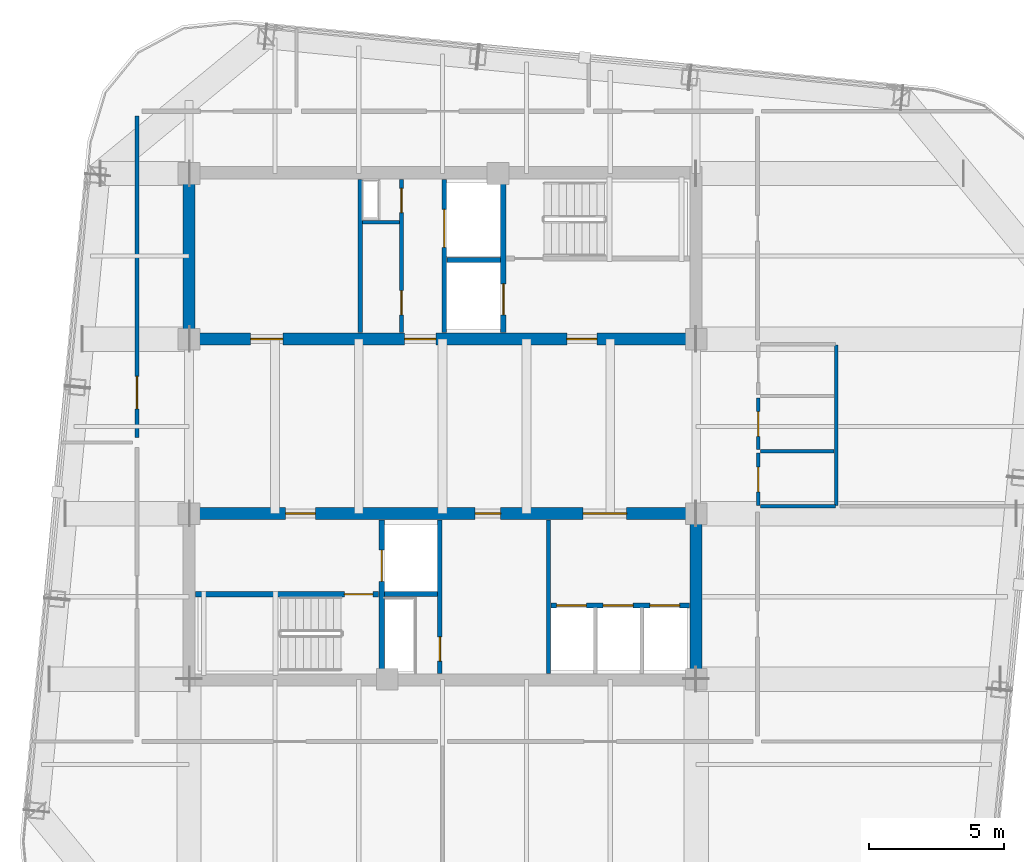
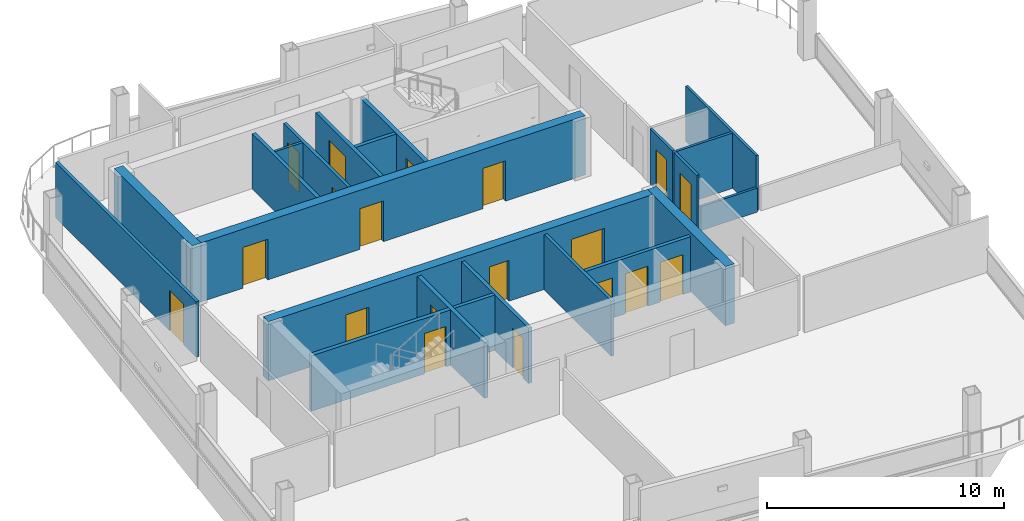
# One storey, part 16 of 21: 22 walls, 19 doors, 19 openings.
"""IFC4 building model written with IfcOpenShell, lengths in metres."""

import ifcopenshell
import ifcopenshell.guid

model = None  # the IFC model being written
_history = None  # IfcOwnerHistory: only IFC2X3 demands one
_inside = {}  # id of a spatial element -> (the spatial element, [elements in it])
_under = {}  # id of a project, library or spatial element -> (it, [spatial elements below it])
_declared = {}  # id of a project -> (the project, [libraries it declares])
_typed = {}  # id of a type object -> (the type object, [elements of that type])
_made_of = {}  # id of a material, layer set ... -> (it, [elements and type objects made of it])


def new_model(schema):
    """Start an empty IFC model of exactly this schema.

    Asked for "IFC4X3", IfcOpenShell would pick the latest addendum, in which some entities
    have other attributes; the version numbers below select the first issue.
    IFC2X3 requires an IfcOwnerHistory on every rooted entity: one is made here for all.
    """
    global model, _history
    if schema == "IFC4X3":
        model = ifcopenshell.file(schema_version=(4, 3, 0, 0))
    else:
        model = ifcopenshell.file(schema=schema)
    _inside.clear()
    _under.clear()
    _declared.clear()
    _typed.clear()
    _made_of.clear()
    _history = None
    if model.schema == "IFC2X3":
        org = make("IfcOrganization", Name="unknown")
        user = make(
            "IfcPersonAndOrganization",
            ThePerson=make("IfcPerson", FamilyName="unknown"),
            TheOrganization=org,
        )
        app = make(
            "IfcApplication",
            ApplicationDeveloper=org,
            Version="unknown",
            ApplicationFullName="unknown",
            ApplicationIdentifier="unknown",
        )
        _history = make(
            "IfcOwnerHistory",
            OwningUser=user,
            OwningApplication=app,
            ChangeAction="ADDED",
            CreationDate=0,
        )
    return model


def make(cls, **values):
    """One entity of the class cls with the attributes given. An attribute that is None is left unset."""
    return model.create_entity(
        cls, **{name: value for name, value in values.items() if value is not None}
    )


def rooted(cls, **values):
    """An entity with a GlobalId (a new one), such as an element, a storey or a relation."""
    return make(cls, GlobalId=ifcopenshell.guid.new(), OwnerHistory=_history, **values)


def si_unit(unit_type, name, prefix=None):
    """IfcSIUnit, for example si_unit("LENGTHUNIT", "METRE", prefix="MILLI")."""
    return make("IfcSIUnit", UnitType=unit_type, Prefix=prefix, Name=name)


def assignment(units):
    """IfcUnitAssignment: the units of a project."""
    return None if units is None else make("IfcUnitAssignment", Units=units)


def point(xyz):
    """IfcCartesianPoint."""
    return None if xyz is None else make("IfcCartesianPoint", Coordinates=xyz)


def direction(xyz):
    """IfcDirection."""
    return None if xyz is None else make("IfcDirection", DirectionRatios=xyz)


def frame(location, z_axis=None, x_axis=None):
    """IfcAxis2Placement3D, a coordinate frame: its origin and axes. An axis left out is left unset."""
    return make(
        "IfcAxis2Placement3D",
        Location=point(location),
        Axis=direction(z_axis),
        RefDirection=direction(x_axis),
    )


def frame_2d(location, x_axis=None):
    """IfcAxis2Placement2D, a coordinate frame in the plane: its origin and x axis."""
    return make(
        "IfcAxis2Placement2D", Location=point(location), RefDirection=direction(x_axis)
    )


def origin():
    """The frame at (0, 0, 0) with its axes left unset."""
    return frame((0.0, 0.0, 0.0))


def place(relative_to, where):
    """IfcLocalPlacement: puts the frame where relative to a parent placement (None: the world)."""
    return make(
        "IfcLocalPlacement", PlacementRelTo=relative_to, RelativePlacement=where
    )


def context(
    kind, dimensions, precision=None, world=None, true_north=None, identifier=None
):
    """IfcGeometricRepresentationContext, for example the 3D "Model" context."""
    return make(
        "IfcGeometricRepresentationContext",
        ContextIdentifier=identifier,
        ContextType=kind,
        CoordinateSpaceDimension=dimensions,
        Precision=precision,
        WorldCoordinateSystem=world,
        TrueNorth=true_north,
    )


def subcontext(parent, identifier, kind, view, scale=None):
    """IfcGeometricRepresentationSubContext, for example "Body" below "Model"."""
    return make(
        "IfcGeometricRepresentationSubContext",
        ContextIdentifier=identifier,
        ContextType=kind,
        ParentContext=parent,
        TargetScale=scale,
        TargetView=view,
    )


def project(units=None, contexts=None):
    """IfcProject with its units and contexts."""
    return rooted(
        "IfcProject",
        Name="project",
        RepresentationContexts=contexts,
        UnitsInContext=assignment(units),
    )


def spatial(cls, under=None, at=None, **own):
    """A site, building, storey or space (cls), placed at a placement, below another one or the project."""
    s = rooted(cls, ObjectPlacement=at, **own)
    if under is not None:
        _under.setdefault(under.id(), (under, []))[1].append(s)
    return s


def profile(cls, at=None, kind="AREA", **sizes):
    """A parametric profile (cls). Its sizes go by their IFC names, for example OverallWidth=200.0."""
    return make(cls, ProfileType=kind, Position=at, **sizes)


def rectangle(**sizes):
    """IfcRectangleProfileDef."""
    return profile("IfcRectangleProfileDef", **sizes)


def extrude(swept, where, along, depth):
    """IfcExtrudedAreaSolid: the profile swept, set in the frame where, extruded along a direction by depth."""
    return make(
        "IfcExtrudedAreaSolid",
        SweptArea=swept,
        Position=where,
        ExtrudedDirection=direction(along),
        Depth=depth,
    )


def shape(context_of_items, identifier, shape_type, items):
    """IfcShapeRepresentation: the items that make up one representation, for example the "Body"."""
    return make(
        "IfcShapeRepresentation",
        ContextOfItems=context_of_items,
        RepresentationIdentifier=identifier,
        RepresentationType=shape_type,
        Items=items,
    )


def material(Name=None, Category=None):
    """IfcMaterial."""
    return make("IfcMaterial", Name=Name, Category=Category)


def layer(
    of_material, thickness, ventilated=None, Name=None, Category=None, Priority=None
):
    """IfcMaterialLayer: one layer of a wall or slab, of a material (None: an air gap)."""
    return make(
        "IfcMaterialLayer",
        Material=of_material,
        LayerThickness=thickness,
        IsVentilated=ventilated,
        Name=Name,
        Category=Category,
        Priority=Priority,
    )


def layer_set(layers, Name=None):
    """IfcMaterialLayerSet."""
    return make("IfcMaterialLayerSet", MaterialLayers=layers, LayerSetName=Name)


def made_of(thing, what):
    """Note that an element or type object is made of a material, layer set ...; save() writes the relation."""
    if what is not None:
        _made_of.setdefault(what.id(), (what, []))[1].append(thing)
    return thing


def type_object(cls, material=None, **own):
    """A type object (cls), such as IfcWallType, which elements share."""
    return made_of(rooted(cls, **own), material)


def element(
    cls,
    number,
    at=None,
    inside=None,
    cuts=None,
    type_object=None,
    material=None,
    context=None,
    identifier="Body",
    shape_type=None,
    held_by="IfcProductDefinitionShape",
    body=None,
    shapes=None,
    **own,
):
    """One element of the class cls, such as IfcWall. Its Tag is "e" and its number.

    at: its placement. inside: the storey or other place that contains it. cuts: it is an
    opening in that element (IfcRelVoidsElement). A single representation is given by context,
    identifier, shape_type and body (its items); several are given by shapes. held_by: the class
    of the entity that holds the representations. save() writes the other relations.
    """
    e = rooted(cls, Tag="e%d" % number, ObjectPlacement=at, **own)
    if body is not None:
        shapes = [shape(context, identifier, shape_type, body)]
    if shapes is not None:
        e.Representation = make(held_by, Representations=shapes)
    if inside is not None:
        _inside.setdefault(inside.id(), (inside, []))[1].append(e)
    if cuts is not None:
        rooted(
            "IfcRelVoidsElement", RelatingBuildingElement=cuts, RelatedOpeningElement=e
        )
    if type_object is not None:
        _typed.setdefault(type_object.id(), (type_object, []))[1].append(e)
    return made_of(e, material)


def fill(opening, filler):
    """IfcRelFillsElement: the door or window that sits in an opening."""
    return rooted(
        "IfcRelFillsElement",
        RelatingOpeningElement=opening,
        RelatedBuildingElement=filler,
    )


def aggregate(whole, parts):
    """IfcRelAggregates: a whole, such as a stair, and the parts it consists of."""
    return rooted("IfcRelAggregates", RelatingObject=whole, RelatedObjects=parts)


def save(model, path):
    """Write the relations noted so far, then the file.

    IfcRelAggregates (storeys below a building ...), IfcRelContainedInSpatialStructure (elements
    in a storey), IfcRelDefinesByType, IfcRelAssociatesMaterial and IfcRelDeclares: one each for
    every whole, place, type object, material and project.
    """
    for whole, parts in _under.values():
        aggregate(whole, parts)
    for where, things in _inside.values():
        rooted(
            "IfcRelContainedInSpatialStructure",
            RelatedElements=things,
            RelatingStructure=where,
        )
    for kind, things in _typed.values():
        rooted("IfcRelDefinesByType", RelatedObjects=things, RelatingType=kind)
    for what, things in _made_of.values():
        rooted("IfcRelAssociatesMaterial", RelatedObjects=things, RelatingMaterial=what)
    for by, libraries in _declared.values():
        rooted("IfcRelDeclares", RelatingContext=by, RelatedDefinitions=libraries)
    model.write(path)


model = new_model("IFC4")

# Units and contexts
model_context = context("Model", 3, precision=1e-05, world=origin(), true_north=direction((0.0, 1.0)))
body_context = subcontext(model_context, "Body", "Model", "MODEL_VIEW")
ifc_project = project(units=[si_unit("LENGTHUNIT", "METRE"), si_unit("AREAUNIT", "SQUARE_METRE"), si_unit("VOLUMEUNIT", "CUBIC_METRE"), si_unit("PLANEANGLEUNIT", "RADIAN"), si_unit("MASSUNIT", "GRAM", prefix="KILO")], contexts=[model_context])

# Site, building, storey
site_placement = place(None, origin())
site = spatial("IfcSite", under=ifc_project, at=site_placement, CompositionType="ELEMENT")
building_placement = place(site_placement, origin())
building = spatial("IfcBuilding", under=site, at=building_placement, Name="Qhalaya Broadcast Tower", CompositionType="ELEMENT")
storey_placement = place(building_placement, frame((0.0, 0.0, 270.300048828125)))
storey = spatial("IfcBuildingStorey", under=building, at=storey_placement, Name="L80", CompositionType="ELEMENT", Elevation=270.300048828125)

# Wall, openings, doors
ifc_material_1 = material(Name="Gypsum Acoustic Partition")
ifc_layer_1 = layer(ifc_material_1, 0.14990234375, Name="Gypsum Acoustic Partition")
ifc_layer_set_1 = layer_set([ifc_layer_1], Name="Gypsum Acoustic Partition")
wall_type_1 = type_object("IfcWallType", Name="Corridor & Tenancy Acoustic Partition 150", PredefinedType="PARTITIONING", material=ifc_layer_set_1)
wall_1_placement = place(storey_placement, frame((-1.52001953125, 4.070068359375, 0.0), z_axis=(0.0, 0.0, 1.0), x_axis=(0.0, 1.0, 0.0)))
wall_1 = element("IfcWall", 1, at=wall_1_placement, inside=storey, type_object=wall_type_1, Name="L80 Partition Wall NCW-SVL", PredefinedType="PARTITIONING", context=body_context, shape_type="SweptSolid", body=[
    extrude(rectangle(XDim=5.659912109375, YDim=0.14990234375, at=frame_2d((2.830078125, 0.0))), origin(), (0.0, 0.0, 1.0), 2.85986328125),
])
opening_1_placement = place(wall_1_placement, frame((4.429931640625, 0.0, 0.0)))
opening_1 = element("IfcOpeningElement", 2, at=opening_1_placement, cuts=wall_1, Name="Opening D06", PredefinedType="OPENING", context=body_context, shape_type="SweptSolid", body=[
    extrude(rectangle(XDim=0.89990234375, YDim=2.050048828125, at=frame_2d((0.449951171875, 1.02490234375))), frame((0.0, 0.0869140625, 0.0), z_axis=(0.0, -1.0, 0.0), x_axis=(1.0, 0.0, 0.0)), (0.0, 0.0, 1.0), 0.173828125),
])
opening_2_placement = place(wall_1_placement, frame((0.64990234375, 0.0, 0.0)))
opening_2 = element("IfcOpeningElement", 3, at=opening_2_placement, cuts=wall_1, Name="Opening D06", PredefinedType="OPENING", context=body_context, shape_type="SweptSolid", body=[
    extrude(rectangle(XDim=0.89990234375, YDim=2.050048828125, at=frame_2d((0.449951171875, 1.02490234375))), frame((0.0, 0.0869140625, 0.0), z_axis=(0.0, -1.0, 0.0), x_axis=(1.0, 0.0, 0.0)), (0.0, 0.0, 1.0), 0.173828125),
])
ifc_material_2 = material(Name="Fire-Rated Steel Door", Category="steel")
door_type_1 = type_object("IfcDoorType", Name="Riser & Electrical Shaft Access Door D06", OperationType="NOTDEFINED", PredefinedType="DOOR", material=ifc_material_2)
door_1_placement = place(opening_1_placement, origin())
door_1 = element("IfcDoor", 4, at=door_1_placement, inside=storey, type_object=door_type_1, Name="L80 Riser Shaft Access Door D-NRSR", OperationType="SINGLE_SWING_RIGHT", OverallHeight=2.050048828125, OverallWidth=0.89990234375, PredefinedType="DOOR", context=body_context, shape_type="SweptSolid", body=[
    extrude(rectangle(XDim=0.89990234375, YDim=2.050048828125, at=frame_2d((0.449951171875, 1.02490234375))), frame((0.0, 0.02490234375, 0.0), z_axis=(0.0, -1.0, 0.0), x_axis=(1.0, 0.0, 0.0)), (0.0, 0.0, 1.0), 0.050048828125),
])
fill(opening_1, door_1)
door_2_placement = place(opening_2_placement, origin())
door_2 = element("IfcDoor", 5, at=door_2_placement, inside=storey, type_object=door_type_1, Name="L80 Door D-NCST", OperationType="SINGLE_SWING_LEFT", OverallHeight=2.050048828125, OverallWidth=0.89990234375, PredefinedType="DOOR", context=body_context, shape_type="SweptSolid", body=[
    extrude(rectangle(XDim=0.89990234375, YDim=2.050048828125, at=frame_2d((0.449951171875, 1.02490234375))), frame((0.0, 0.02490234375, 0.0), z_axis=(0.0, -1.0, 0.0), x_axis=(1.0, 0.0, 0.0)), (0.0, 0.0, 1.0), 0.050048828125),
])
fill(opening_2, door_2)

# Wall
wall_2_placement = place(storey_placement, frame((3.919921875, -8.530029296875, 0.0), z_axis=(0.0, 0.0, 1.0), x_axis=(0.0, 1.0, 0.0)))
element("IfcWall", 6, at=wall_2_placement, inside=storey, type_object=wall_type_1, Name="L80 Partition Wall SCW-HSEP", PredefinedType="PARTITIONING", context=body_context, shape_type="SweptSolid", body=[
    extrude(rectangle(XDim=5.659912109375, YDim=0.14990234375, at=frame_2d((2.830078125, 0.0))), origin(), (0.0, 0.0, 1.0), 2.85986328125),
])

# Wall, opening, door
wall_3_placement = place(storey_placement, frame((-11.300048828125, 12.070068359375, 0.0), z_axis=(0.0, 0.0, 1.0), x_axis=(0.0, -1.0, 0.0)))
wall_3 = element("IfcWall", 7, at=wall_3_placement, inside=storey, type_object=wall_type_1, Name="L80 Partition Wall W-COR-07", PredefinedType="PARTITIONING", context=body_context, shape_type="SweptSolid", body=[
    extrude(rectangle(XDim=11.89013671875, YDim=0.14990234375, at=frame_2d((5.945068359375, 0.0))), origin(), (0.0, 0.0, 1.0), 2.85986328125),
])
opening_3_placement = place(wall_3_placement, frame((9.625, 0.0, 0.0)))
opening_3 = element("IfcOpeningElement", 8, at=opening_3_placement, cuts=wall_3, Name="Opening D11", PredefinedType="OPENING", context=body_context, shape_type="SweptSolid", body=[
    extrude(rectangle(XDim=1.199951171875, YDim=2.10009765625, at=frame_2d((0.60009765625, 1.050048828125))), frame((0.0, 0.0869140625, 0.0), z_axis=(0.0, -1.0, 0.0), x_axis=(1.0, 0.0, 0.0)), (0.0, 0.0, 1.0), 0.173828125),
])
ifc_material_3 = material(Name="Anodised Aluminium Glazed Door", Category="aluminium")
door_type_2 = type_object("IfcDoorType", Name="Conference, Boardroom & Studio Control Door D11", OperationType="NOTDEFINED", PredefinedType="DOOR", material=ifc_material_3)
door_3_placement = place(opening_3_placement, origin())
door_3 = element("IfcDoor", 9, at=door_3_placement, inside=storey, type_object=door_type_2, Name="L80 Door D-RM07", OperationType="SINGLE_SWING_RIGHT", OverallHeight=2.10009765625, OverallWidth=1.199951171875, PredefinedType="DOOR", context=body_context, shape_type="SweptSolid", body=[
    extrude(rectangle(XDim=1.199951171875, YDim=2.10009765625, at=frame_2d((0.60009765625, 1.050048828125))), frame((0.0, 0.02490234375, 0.0), z_axis=(0.0, -1.0, 0.0), x_axis=(1.0, 0.0, 0.0)), (0.0, 0.0, 1.0), 0.050048828125),
])
fill(opening_3, door_3)

ifc_material_4 = material(Name="Concrete C50/60", Category="concrete")
ifc_layer_2 = layer(ifc_material_4, 0.199951171875, Name="Concrete C50/60")
ifc_layer_set_2 = layer_set([ifc_layer_2], Name="Concrete C50/60")
wall_type_2 = type_object("IfcWallType", Name="Load-Bearing Stair Shaft Wall 200", PredefinedType="SHEAR", material=ifc_layer_set_2)
wall_4_placement = place(storey_placement, frame((2.25, 4.070068359375, 0.0), z_axis=(0.0, 0.0, 1.0), x_axis=(0.0, 1.0, 0.0)))
wall_4 = element("IfcWall", 10, at=wall_4_placement, inside=storey, type_object=wall_type_2, Name="L80 Stair Core Shear Wall NCW-FF", PredefinedType="SHEAR", context=body_context, shape_type="SweptSolid", body=[
    extrude(rectangle(XDim=5.659912109375, YDim=0.199951171875, at=frame_2d((2.830078125, 0.0))), origin(), (0.0, 0.0, 1.0), 2.85986328125),
])
opening_4_placement = place(wall_4_placement, frame((0.64990234375, 0.0, 0.0)))
opening_4 = element("IfcOpeningElement", 11, at=opening_4_placement, cuts=wall_4, Name="Opening LD2", PredefinedType="OPENING", context=body_context, shape_type="SweptSolid", body=[
    extrude(rectangle(XDim=1.14990234375, YDim=2.080078125, at=frame_2d((0.574951171875, 1.0400390625))), frame((0.0, 0.112060546875, 0.0), z_axis=(0.0, -1.0, 0.0), x_axis=(1.0, 0.0, 0.0)), (0.0, 0.0, 1.0), 0.223876953125),
])
ifc_material_5 = material(Name="Brushed Stainless Steel Lift Door", Category="steel")
door_type_3 = type_object("IfcDoorType", Name="Firefighting Lift Sliding Landing Door LD2", OperationType="DOUBLE_DOOR_SLIDING", PredefinedType="DOOR", material=ifc_material_5)
door_4_placement = place(opening_4_placement, origin())
door_4 = element("IfcDoor", 12, at=door_4_placement, inside=storey, type_object=door_type_3, Name="L80 Door LD-FF1", OperationType="DOUBLE_DOOR_SLIDING", OverallHeight=2.080078125, OverallWidth=1.14990234375, PredefinedType="DOOR", context=body_context, shape_type="SweptSolid", body=[
    extrude(rectangle(XDim=1.14990234375, YDim=2.080078125, at=frame_2d((0.574951171875, 1.0400390625))), frame((0.0, 0.02490234375, 0.0), z_axis=(0.0, -1.0, 0.0), x_axis=(1.0, 0.0, 0.0)), (0.0, 0.0, 1.0), 0.050048828125),
])
fill(opening_4, door_4)

wall_5_placement = place(storey_placement, frame((-9.1298828125, -5.60498046875, 0.0), z_axis=(0.0, 0.0, 1.0), x_axis=(1.0, 0.0, 0.0)))
wall_5 = element("IfcWall", 13, at=wall_5_placement, inside=storey, type_object=wall_type_2, Name="L80 Stair Core Shear Wall SCW-ST2", PredefinedType="SHEAR", context=body_context, shape_type="SweptSolid", body=[
    extrude(rectangle(XDim=6.769775390625, YDim=0.199951171875, at=frame_2d((3.384765625, 0.0))), origin(), (0.0, 0.0, 1.0), 2.85986328125),
])
opening_5_placement = place(wall_5_placement, frame((5.5, 0.0, 0.0)))
opening_5 = element("IfcOpeningElement", 14, at=opening_5_placement, cuts=wall_5, Name="Opening D03", PredefinedType="OPENING", context=body_context, shape_type="SweptSolid", body=[
    extrude(rectangle(XDim=1.050048828125, YDim=2.080078125, at=frame_2d((0.52490234375, 1.0400390625))), frame((0.0, 0.112060546875, 0.0), z_axis=(0.0, -1.0, 0.0), x_axis=(1.0, 0.0, 0.0)), (0.0, 0.0, 1.0), 0.223876953125),
])
door_type_4 = type_object("IfcDoorType", Name="Core Stair Protected Fire Door D03", OperationType="NOTDEFINED", PredefinedType="DOOR", material=ifc_material_2)
door_5_placement = place(opening_5_placement, origin())
door_5 = element("IfcDoor", 15, at=door_5_placement, inside=storey, type_object=door_type_4, Name="L80 Door D-SST2", OperationType="SINGLE_SWING_RIGHT", OverallHeight=2.080078125, OverallWidth=1.050048828125, PredefinedType="DOOR", context=body_context, shape_type="SweptSolid", body=[
    extrude(rectangle(XDim=1.050048828125, YDim=2.080078125, at=frame_2d((0.52490234375, 1.0400390625))), frame((0.0, 0.02490234375, 0.0), z_axis=(0.0, -1.0, 0.0), x_axis=(1.0, 0.0, 0.0)), (0.0, 0.0, 1.0), 0.050048828125),
])
fill(opening_5, door_5)

wall_6_placement = place(storey_placement, frame((-2.25, -8.530029296875, 0.0), z_axis=(0.0, 0.0, 1.0), x_axis=(0.0, 1.0, 0.0)))
wall_6 = element("IfcWall", 16, at=wall_6_placement, inside=storey, type_object=wall_type_2, Name="L80 Stair Core Shear Wall SCW-FF", PredefinedType="SHEAR", context=body_context, shape_type="SweptSolid", body=[
    extrude(rectangle(XDim=5.659912109375, YDim=0.199951171875, at=frame_2d((2.830078125, 0.0))), origin(), (0.0, 0.0, 1.0), 2.85986328125),
])
opening_6_placement = place(wall_6_placement, frame((3.39990234375, 0.0, 0.0)))
opening_6 = element("IfcOpeningElement", 17, at=opening_6_placement, cuts=wall_6, Name="Opening LD2", PredefinedType="OPENING", context=body_context, shape_type="SweptSolid", body=[
    extrude(rectangle(XDim=1.14990234375, YDim=2.080078125, at=frame_2d((0.574951171875, 1.0400390625))), frame((0.0, 0.112060546875, 0.0), z_axis=(0.0, -1.0, 0.0), x_axis=(1.0, 0.0, 0.0)), (0.0, 0.0, 1.0), 0.223876953125),
])
door_6_placement = place(opening_6_placement, origin())
door_6 = element("IfcDoor", 18, at=door_6_placement, inside=storey, type_object=door_type_3, Name="L80 Door LD-FF2", OperationType="DOUBLE_DOOR_SLIDING", OverallHeight=2.080078125, OverallWidth=1.14990234375, PredefinedType="DOOR", context=body_context, shape_type="SweptSolid", body=[
    extrude(rectangle(XDim=1.14990234375, YDim=2.080078125, at=frame_2d((0.574951171875, 1.0400390625))), frame((0.0, 0.02490234375, 0.0), z_axis=(0.0, -1.0, 0.0), x_axis=(1.0, 0.0, 0.0)), (0.0, 0.0, 1.0), 0.050048828125),
])
fill(opening_6, door_6)

# Wall
ifc_layer_3 = layer(ifc_material_1, 0.1201171875, Name="Gypsum Acoustic Partition")
ifc_layer_set_3 = layer_set([ifc_layer_3], Name="Gypsum Acoustic Partition")
wall_type_3 = type_object("IfcWallType", Name="Office, Booth & Sanitary Partition 120", PredefinedType="PARTITIONING", material=ifc_layer_set_3)
wall_7_placement = place(storey_placement, frame((-2.9599609375, 8.14990234375, 0.0), z_axis=(0.0, 0.0, 1.0), x_axis=(1.0, 0.0, 0.0)))
element("IfcWall", 19, at=wall_7_placement, inside=storey, type_object=wall_type_3, Name="L80 Partition Wall NCW-VA", PredefinedType="PARTITIONING", context=body_context, shape_type="SweptSolid", body=[
    extrude(rectangle(XDim=1.35986328125, YDim=0.1201171875, at=frame_2d((0.679931640625, 0.0))), origin(), (0.0, 0.0, 1.0), 2.85986328125),
])

# Wall, opening, door
wall_8_placement = place(storey_placement, frame((11.669921875, -2.320068359375, 0.0), z_axis=(0.0, 0.0, 1.0), x_axis=(0.0, 1.0, 0.0)))
wall_8 = element("IfcWall", 20, at=wall_8_placement, inside=storey, type_object=wall_type_3, Name="L80 Partition Wall W-WCWA", PredefinedType="PARTITIONING", context=body_context, shape_type="SweptSolid", body=[
    extrude(rectangle(XDim=1.940185546875, YDim=0.1201171875, at=frame_2d((0.97021484375, 0.0))), origin(), (0.0, 0.0, 1.0), 2.85986328125),
])
opening_7_placement = place(wall_8_placement, frame((0.4951171875, 0.0, 0.0)))
opening_7 = element("IfcOpeningElement", 21, at=opening_7_placement, cuts=wall_8, Name="Opening D12", PredefinedType="OPENING", context=body_context, shape_type="SweptSolid", body=[
    extrude(rectangle(XDim=0.919921875, YDim=2.10009765625, at=frame_2d((0.4599609375, 1.050048828125))), frame((0.0, 0.072021484375, 0.0), z_axis=(0.0, -1.0, 0.0), x_axis=(1.0, 0.0, 0.0)), (0.0, 0.0, 1.0), 0.14404296875),
])
ifc_material_6 = material(Name="Timber Veneer Acoustic Door", Category="wood")
door_type_5 = type_object("IfcDoorType", Name="Accessible WC & Restroom Door D12", OperationType="NOTDEFINED", PredefinedType="DOOR", material=ifc_material_6)
door_7_placement = place(opening_7_placement, origin())
door_7 = element("IfcDoor", 22, at=door_7_placement, inside=storey, type_object=door_type_5, Name="L80 Door D-WCA", OperationType="SINGLE_SWING_LEFT", OverallHeight=2.10009765625, OverallWidth=0.919921875, PredefinedType="DOOR", context=body_context, shape_type="SweptSolid", body=[
    extrude(rectangle(XDim=0.919921875, YDim=2.10009765625, at=frame_2d((0.4599609375, 1.050048828125))), frame((0.0, 0.02490234375, 0.0), z_axis=(0.0, -1.0, 0.0), x_axis=(1.0, 0.0, 0.0)), (0.0, 0.0, 1.0), 0.050048828125),
])
fill(opening_7, door_7)

wall_9_placement = place(storey_placement, frame((11.669921875, -0.25, 0.0), z_axis=(0.0, 0.0, 1.0), x_axis=(0.0, 1.0, 0.0)))
wall_9 = element("IfcWall", 23, at=wall_9_placement, inside=storey, type_object=wall_type_3, Name="L80 Partition Wall W-WCWM", PredefinedType="PARTITIONING", context=body_context, shape_type="SweptSolid", body=[
    extrude(rectangle(XDim=1.89990234375, YDim=0.1201171875, at=frame_2d((0.949951171875, 0.0))), origin(), (0.0, 0.0, 1.0), 2.85986328125),
])
opening_8_placement = place(wall_9_placement, frame((0.47509765625, 0.0, 0.0)))
opening_8 = element("IfcOpeningElement", 24, at=opening_8_placement, cuts=wall_9, Name="Opening D12", PredefinedType="OPENING", context=body_context, shape_type="SweptSolid", body=[
    extrude(rectangle(XDim=0.919921875, YDim=2.10009765625, at=frame_2d((0.4599609375, 1.050048828125))), frame((0.0, 0.072021484375, 0.0), z_axis=(0.0, -1.0, 0.0), x_axis=(1.0, 0.0, 0.0)), (0.0, 0.0, 1.0), 0.14404296875),
])
door_8_placement = place(opening_8_placement, origin())
door_8 = element("IfcDoor", 25, at=door_8_placement, inside=storey, type_object=door_type_5, Name="L80 Door D-WCM", OperationType="SINGLE_SWING_RIGHT", OverallHeight=2.10009765625, OverallWidth=0.919921875, PredefinedType="DOOR", context=body_context, shape_type="SweptSolid", body=[
    extrude(rectangle(XDim=0.919921875, YDim=2.10009765625, at=frame_2d((0.4599609375, 1.050048828125))), frame((0.0, 0.02490234375, 0.0), z_axis=(0.0, -1.0, 0.0), x_axis=(1.0, 0.0, 0.0)), (0.0, 0.0, 1.0), 0.050048828125),
])
fill(opening_8, door_8)

# Walls
wall_10_placement = place(storey_placement, frame((14.550048828125, -2.320068359375, 0.0), z_axis=(0.0, 0.0, 1.0), x_axis=(0.0, 1.0, 0.0)))
element("IfcWall", 26, at=wall_10_placement, inside=storey, type_object=wall_type_3, Name="L80 Partition Wall W-WCE", PredefinedType="PARTITIONING", context=body_context, shape_type="SweptSolid", body=[
    extrude(rectangle(XDim=5.93017578125, YDim=0.1201171875, at=frame_2d((2.965087890625, 0.0))), origin(), (0.0, 0.0, 1.0), 2.85986328125),
])
wall_11_placement = place(storey_placement, frame((11.760009765625, -2.35009765625, 0.0), z_axis=(0.0, 0.0, 1.0), x_axis=(1.0, 0.0, 0.0)))
element("IfcWall", 27, at=wall_11_placement, inside=storey, type_object=wall_type_3, Name="L80 Partition Wall W-WCS", PredefinedType="PARTITIONING", context=body_context, shape_type="SweptSolid", body=[
    extrude(rectangle(XDim=2.760009765625, YDim=0.1201171875, at=frame_2d((1.3798828125, 0.0))), origin(), (0.0, 0.0, 1.0), 1.239990234375),
])
wall_12_placement = place(storey_placement, frame((11.760009765625, -0.320068359375, 0.0), z_axis=(0.0, 0.0, 1.0), x_axis=(1.0, 0.0, 0.0)))
element("IfcWall", 28, at=wall_12_placement, inside=storey, type_object=wall_type_3, Name="L80 Partition Wall W-WCD1", PredefinedType="PARTITIONING", context=body_context, shape_type="SweptSolid", body=[
    extrude(rectangle(XDim=2.719970703125, YDim=0.1201171875, at=frame_2d((1.35986328125, 0.0))), origin(), (0.0, 0.0, 1.0), 2.85986328125),
])

# Wall, opening, door
ifc_layer_4 = layer(ifc_material_1, 0.175048828125, Name="Gypsum Acoustic Partition")
ifc_layer_set_4 = layer_set([ifc_layer_4], Name="Gypsum Acoustic Partition")
wall_type_4 = type_object("IfcWallType", Name="Shaft & Riser Fire Partition 175", PredefinedType="PARTITIONING", material=ifc_layer_set_4)
wall_13_placement = place(storey_placement, frame((0.06005859375, 4.070068359375, 0.0), z_axis=(0.0, 0.0, 1.0), x_axis=(0.0, 1.0, 0.0)))
wall_13 = element("IfcWall", 29, at=wall_13_placement, inside=storey, type_object=wall_type_4, Name="L80 Partition Wall NCW-SVW", PredefinedType="PARTITIONING", context=body_context, shape_type="SweptSolid", body=[
    extrude(rectangle(XDim=5.659912109375, YDim=0.175048828125, at=frame_2d((2.830078125, 0.0))), origin(), (0.0, 0.0, 1.0), 2.85986328125),
])
opening_9_placement = place(wall_13_placement, frame((3.14990234375, 0.0, 0.0)))
opening_9 = element("IfcOpeningElement", 30, at=opening_9_placement, cuts=wall_13, Name="Opening LD3", PredefinedType="OPENING", context=body_context, shape_type="SweptSolid", body=[
    extrude(rectangle(XDim=1.39990234375, YDim=2.1201171875, at=frame_2d((0.699951171875, 1.06005859375))), frame((0.0, 0.099609375, 0.0), z_axis=(0.0, -1.0, 0.0), x_axis=(1.0, 0.0, 0.0)), (0.0, 0.0, 1.0), 0.198974609375),
])
door_type_6 = type_object("IfcDoorType", Name="Service Lift Wide Sliding Landing Door LD3", OperationType="DOUBLE_DOOR_SLIDING", PredefinedType="DOOR", material=ifc_material_5)
door_9_placement = place(opening_9_placement, origin())
door_9 = element("IfcDoor", 31, at=door_9_placement, inside=storey, type_object=door_type_6, Name="L80 Door LD-SV1", OperationType="DOUBLE_DOOR_SLIDING", OverallHeight=2.1201171875, OverallWidth=1.39990234375, PredefinedType="DOOR", context=body_context, shape_type="SweptSolid", body=[
    extrude(rectangle(XDim=1.39990234375, YDim=2.1201171875, at=frame_2d((0.699951171875, 1.06005859375))), frame((0.0, 0.02490234375, 0.0), z_axis=(0.0, -1.0, 0.0), x_axis=(1.0, 0.0, 0.0)), (0.0, 0.0, 1.0), 0.050048828125),
])
fill(opening_9, door_9)

# Walls
wall_14_placement = place(storey_placement, frame((0.159912109375, 6.75, 0.0), z_axis=(0.0, 0.0, 1.0), x_axis=(1.0, 0.0, 0.0)))
element("IfcWall", 32, at=wall_14_placement, inside=storey, type_object=wall_type_4, Name="L80 Partition Wall NCW-SVM", PredefinedType="PARTITIONING", context=body_context, shape_type="SweptSolid", body=[
    extrude(rectangle(XDim=1.97998046875, YDim=0.175048828125, at=frame_2d((0.989990234375, 0.0))), origin(), (0.0, 0.0, 1.0), 2.85986328125),
])
wall_15_placement = place(storey_placement, frame((-3.0400390625, 4.070068359375, 0.0), z_axis=(0.0, 0.0, 1.0), x_axis=(0.0, 1.0, 0.0)))
element("IfcWall", 33, at=wall_15_placement, inside=storey, type_object=wall_type_4, Name="L80 Partition Wall NCW-VRW", PredefinedType="PARTITIONING", context=body_context, shape_type="SweptSolid", body=[
    extrude(rectangle(XDim=5.659912109375, YDim=0.175048828125, at=frame_2d((2.830078125, 0.0))), origin(), (0.0, 0.0, 1.0), 2.85986328125),
])

# Wall, opening, door
wall_16_placement = place(storey_placement, frame((-0.10009765625, -8.530029296875, 0.0), z_axis=(0.0, 0.0, 1.0), x_axis=(0.0, 1.0, 0.0)))
wall_16 = element("IfcWall", 34, at=wall_16_placement, inside=storey, type_object=wall_type_4, Name="L80 Partition Wall SCW-FFE", PredefinedType="PARTITIONING", context=body_context, shape_type="SweptSolid", body=[
    extrude(rectangle(XDim=5.659912109375, YDim=0.175048828125, at=frame_2d((2.830078125, 0.0))), origin(), (0.0, 0.0, 1.0), 2.85986328125),
])
opening_10_placement = place(wall_16_placement, frame((0.449951171875, 0.0, 0.0)))
opening_10 = element("IfcOpeningElement", 35, at=opening_10_placement, cuts=wall_16, Name="Opening D06", PredefinedType="OPENING", context=body_context, shape_type="SweptSolid", body=[
    extrude(rectangle(XDim=0.89990234375, YDim=2.050048828125, at=frame_2d((0.449951171875, 1.02490234375))), frame((0.0, 0.099609375, 0.0), z_axis=(0.0, -1.0, 0.0), x_axis=(1.0, 0.0, 0.0)), (0.0, 0.0, 1.0), 0.198974609375),
])
door_10_placement = place(opening_10_placement, origin())
door_10 = element("IfcDoor", 36, at=door_10_placement, inside=storey, type_object=door_type_1, Name="L80 Riser Shaft Access Door D-SRSR", OperationType="SINGLE_SWING_LEFT", OverallHeight=2.050048828125, OverallWidth=0.89990234375, PredefinedType="DOOR", context=body_context, shape_type="SweptSolid", body=[
    extrude(rectangle(XDim=0.89990234375, YDim=2.050048828125, at=frame_2d((0.449951171875, 1.02490234375))), frame((0.0, 0.02490234375, 0.0), z_axis=(0.0, -1.0, 0.0), x_axis=(1.0, 0.0, 0.0)), (0.0, 0.0, 1.0), 0.050048828125),
])
fill(opening_10, door_10)

# Wall
wall_17_placement = place(storey_placement, frame((-2.14990234375, -5.60009765625, 0.0), z_axis=(0.0, 0.0, 1.0), x_axis=(1.0, 0.0, 0.0)))
element("IfcWall", 37, at=wall_17_placement, inside=storey, type_object=wall_type_4, Name="L80 Partition Wall SCW-FFM", PredefinedType="PARTITIONING", context=body_context, shape_type="SweptSolid", body=[
    extrude(rectangle(XDim=1.969970703125, YDim=0.175048828125, at=frame_2d((0.98486328125, 0.0))), origin(), (0.0, 0.0, 1.0), 2.85986328125),
])

# Wall, openings, doors
wall_18_placement = place(storey_placement, frame((4.0, -6.02001953125, 0.0), z_axis=(0.0, 0.0, 1.0), x_axis=(1.0, 0.0, 0.0)))
wall_18 = element("IfcWall", 38, at=wall_18_placement, inside=storey, type_object=wall_type_4, Name="L80 Partition Wall SCW-SLB", PredefinedType="PARTITIONING", context=body_context, shape_type="SweptSolid", body=[
    extrude(rectangle(XDim=5.1298828125, YDim=0.175048828125, at=frame_2d((2.56494140625, 0.0))), origin(), (0.0, 0.0, 1.0), 2.85986328125),
])
opening_11_placement = place(wall_18_placement, frame((0.219970703125, 0.0, 0.0)))
opening_11 = element("IfcOpeningElement", 39, at=opening_11_placement, cuts=wall_18, Name="Opening LD1", PredefinedType="OPENING", context=body_context, shape_type="SweptSolid", body=[
    extrude(rectangle(XDim=1.10009765625, YDim=2.06005859375, at=frame_2d((0.550048828125, 1.030029296875))), frame((0.0, 0.099609375, 0.0), z_axis=(0.0, -1.0, 0.0), x_axis=(1.0, 0.0, 0.0)), (0.0, 0.0, 1.0), 0.198974609375),
])
opening_12_placement = place(wall_18_placement, frame((1.93994140625, 0.0, 0.0)))
opening_12 = element("IfcOpeningElement", 40, at=opening_12_placement, cuts=wall_18, Name="Opening LD1", PredefinedType="OPENING", context=body_context, shape_type="SweptSolid", body=[
    extrude(rectangle(XDim=1.10009765625, YDim=2.06005859375, at=frame_2d((0.550048828125, 1.030029296875))), frame((0.0, 0.099609375, 0.0), z_axis=(0.0, -1.0, 0.0), x_axis=(1.0, 0.0, 0.0)), (0.0, 0.0, 1.0), 0.198974609375),
])
opening_13_placement = place(wall_18_placement, frame((3.659912109375, 0.0, 0.0)))
opening_13 = element("IfcOpeningElement", 41, at=opening_13_placement, cuts=wall_18, Name="Opening LD1", PredefinedType="OPENING", context=body_context, shape_type="SweptSolid", body=[
    extrude(rectangle(XDim=1.10009765625, YDim=2.06005859375, at=frame_2d((0.550048828125, 1.030029296875))), frame((0.0, 0.099609375, 0.0), z_axis=(0.0, -1.0, 0.0), x_axis=(1.0, 0.0, 0.0)), (0.0, 0.0, 1.0), 0.198974609375),
])
door_type_7 = type_object("IfcDoorType", Name="Passenger Lift Sliding Landing Door LD1", OperationType="DOUBLE_DOOR_SLIDING", PredefinedType="DOOR", material=ifc_material_5)
door_11_placement = place(opening_11_placement, origin())
door_11 = element("IfcDoor", 42, at=door_11_placement, inside=storey, type_object=door_type_7, Name="L80 Door LD-P6", OperationType="DOUBLE_DOOR_SLIDING", OverallHeight=2.06005859375, OverallWidth=1.10009765625, PredefinedType="DOOR", context=body_context, shape_type="SweptSolid", body=[
    extrude(rectangle(XDim=1.10009765625, YDim=2.06005859375, at=frame_2d((0.550048828125, 1.030029296875))), frame((0.0, 0.02490234375, 0.0), z_axis=(0.0, -1.0, 0.0), x_axis=(1.0, 0.0, 0.0)), (0.0, 0.0, 1.0), 0.050048828125),
])
fill(opening_11, door_11)
door_12_placement = place(opening_12_placement, origin())
door_12 = element("IfcDoor", 43, at=door_12_placement, inside=storey, type_object=door_type_7, Name="L80 Door LD-P7", OperationType="DOUBLE_DOOR_SLIDING", OverallHeight=2.06005859375, OverallWidth=1.10009765625, PredefinedType="DOOR", context=body_context, shape_type="SweptSolid", body=[
    extrude(rectangle(XDim=1.10009765625, YDim=2.06005859375, at=frame_2d((0.550048828125, 1.030029296875))), frame((0.0, 0.02490234375, 0.0), z_axis=(0.0, -1.0, 0.0), x_axis=(1.0, 0.0, 0.0)), (0.0, 0.0, 1.0), 0.050048828125),
])
fill(opening_12, door_12)
door_13_placement = place(opening_13_placement, origin())
door_13 = element("IfcDoor", 44, at=door_13_placement, inside=storey, type_object=door_type_7, Name="L80 Door LD-P8", OperationType="DOUBLE_DOOR_SLIDING", OverallHeight=2.06005859375, OverallWidth=1.10009765625, PredefinedType="DOOR", context=body_context, shape_type="SweptSolid", body=[
    extrude(rectangle(XDim=1.10009765625, YDim=2.06005859375, at=frame_2d((0.550048828125, 1.030029296875))), frame((0.0, 0.02490234375, 0.0), z_axis=(0.0, -1.0, 0.0), x_axis=(1.0, 0.0, 0.0)), (0.0, 0.0, 1.0), 0.050048828125),
])
fill(opening_13, door_13)

ifc_layer_5 = layer(ifc_material_4, 0.449951171875, Name="Concrete C50/60")
ifc_layer_set_5 = layer_set([ifc_layer_5], Name="Concrete C50/60")
wall_type_5 = type_object("IfcWallType", Name="Upper Split-Core Shear Wall 450", PredefinedType="SHEAR", material=ifc_layer_set_5)
wall_19_placement = place(storey_placement, frame((-9.60009765625, 3.824951171875, 0.0), z_axis=(0.0, 0.0, 1.0), x_axis=(1.0, 0.0, 0.0)))
wall_19 = element("IfcWall", 45, at=wall_19_placement, inside=storey, type_object=wall_type_5, Name="L80 Split-Core Shear Wall CW-NS", PredefinedType="SHEAR", context=body_context, shape_type="SweptSolid", body=[
    extrude(rectangle(XDim=19.2001953125, YDim=0.449951171875, at=frame_2d((9.60009765625, 0.0))), origin(), (0.0, 0.0, 1.0), 3.050048828125),
])
opening_14_placement = place(wall_19_placement, frame((14.199951171875, 0.0, 0.0)))
opening_14 = element("IfcOpeningElement", 46, at=opening_14_placement, cuts=wall_19, Name="Opening D04", PredefinedType="OPENING", context=body_context, shape_type="SweptSolid", body=[
    extrude(rectangle(XDim=1.10009765625, YDim=2.080078125, at=frame_2d((0.550048828125, 1.0400390625))), frame((0.0, 0.237060546875, 0.0), z_axis=(0.0, -1.0, 0.0), x_axis=(1.0, 0.0, 0.0)), (0.0, 0.0, 1.0), 0.473876953125),
])
opening_15_placement = place(wall_19_placement, frame((8.199951171875, 0.0, 0.0)))
opening_15 = element("IfcOpeningElement", 47, at=opening_15_placement, cuts=wall_19, Name="Opening D05", PredefinedType="OPENING", context=body_context, shape_type="SweptSolid", body=[
    extrude(rectangle(XDim=1.14990234375, YDim=2.10009765625, at=frame_2d((0.574951171875, 1.050048828125))), frame((0.0, 0.237060546875, 0.0), z_axis=(0.0, -1.0, 0.0), x_axis=(1.0, 0.0, 0.0)), (0.0, 0.0, 1.0), 0.473876953125),
])
opening_16_placement = place(wall_19_placement, frame((2.5, 0.0, 0.0)))
opening_16 = element("IfcOpeningElement", 48, at=opening_16_placement, cuts=wall_19, Name="Opening D11", PredefinedType="OPENING", context=body_context, shape_type="SweptSolid", body=[
    extrude(rectangle(XDim=1.199951171875, YDim=2.10009765625, at=frame_2d((0.60009765625, 1.050048828125))), frame((0.0, 0.237060546875, 0.0), z_axis=(0.0, -1.0, 0.0), x_axis=(1.0, 0.0, 0.0)), (0.0, 0.0, 1.0), 0.473876953125),
])
door_14_placement = place(opening_16_placement, origin())
door_14 = element("IfcDoor", 49, at=door_14_placement, inside=storey, type_object=door_type_2, Name="L80 Door D-NREC1", OperationType="SINGLE_SWING_LEFT", OverallHeight=2.10009765625, OverallWidth=1.199951171875, PredefinedType="DOOR", context=body_context, shape_type="SweptSolid", body=[
    extrude(rectangle(XDim=1.199951171875, YDim=2.10009765625, at=frame_2d((0.60009765625, 1.050048828125))), frame((0.0, 0.02490234375, 0.0), z_axis=(0.0, -1.0, 0.0), x_axis=(1.0, 0.0, 0.0)), (0.0, 0.0, 1.0), 0.050048828125),
])
fill(opening_16, door_14)
door_type_8 = type_object("IfcDoorType", Name="Firefighting Lobby Rated Door D04", OperationType="NOTDEFINED", PredefinedType="DOOR", material=ifc_material_2)
door_15_placement = place(opening_14_placement, origin())
door_15 = element("IfcDoor", 50, at=door_15_placement, inside=storey, type_object=door_type_8, Name="L80 Door D-NFF", OperationType="SINGLE_SWING_RIGHT", OverallHeight=2.080078125, OverallWidth=1.10009765625, PredefinedType="DOOR", context=body_context, shape_type="SweptSolid", body=[
    extrude(rectangle(XDim=1.10009765625, YDim=2.080078125, at=frame_2d((0.550048828125, 1.0400390625))), frame((0.0, 0.02490234375, 0.0), z_axis=(0.0, -1.0, 0.0), x_axis=(1.0, 0.0, 0.0)), (0.0, 0.0, 1.0), 0.050048828125),
])
fill(opening_14, door_15)
door_type_9 = type_object("IfcDoorType", Name="Refuge & Plant Room Fire Door D05", OperationType="NOTDEFINED", PredefinedType="DOOR", material=ifc_material_2)
door_16_placement = place(opening_15_placement, origin())
door_16 = element("IfcDoor", 51, at=door_16_placement, inside=storey, type_object=door_type_9, Name="L80 Door D-NSVL", OperationType="SINGLE_SWING_LEFT", OverallHeight=2.10009765625, OverallWidth=1.14990234375, PredefinedType="DOOR", context=body_context, shape_type="SweptSolid", body=[
    extrude(rectangle(XDim=1.14990234375, YDim=2.10009765625, at=frame_2d((0.574951171875, 1.050048828125))), frame((0.0, 0.02490234375, 0.0), z_axis=(0.0, -1.0, 0.0), x_axis=(1.0, 0.0, 0.0)), (0.0, 0.0, 1.0), 0.050048828125),
])
fill(opening_15, door_16)

# Wall
wall_20_placement = place(storey_placement, frame((-9.375, 3.60009765625, 0.0), z_axis=(0.0, 0.0, 1.0), x_axis=(0.0, 1.0, 0.0)))
element("IfcWall", 52, at=wall_20_placement, inside=storey, type_object=wall_type_5, Name="L80 Split-Core Shear Wall CW-NW", PredefinedType="SHEAR", context=body_context, shape_type="SweptSolid", body=[
    extrude(rectangle(XDim=6.599853515625, YDim=0.449951171875, at=frame_2d((3.2998046875, 0.0))), origin(), (0.0, 0.0, 1.0), 3.050048828125),
])

# Wall, openings, doors
wall_21_placement = place(storey_placement, frame((-9.60009765625, -2.625, 0.0), z_axis=(0.0, 0.0, 1.0), x_axis=(1.0, 0.0, 0.0)))
wall_21 = element("IfcWall", 53, at=wall_21_placement, inside=storey, type_object=wall_type_5, Name="L80 Split-Core Shear Wall CW-SN", PredefinedType="SHEAR", context=body_context, shape_type="SweptSolid", body=[
    extrude(rectangle(XDim=19.2001953125, YDim=0.449951171875, at=frame_2d((9.60009765625, 0.0))), origin(), (0.0, 0.0, 1.0), 3.050048828125),
])
opening_17_placement = place(wall_21_placement, frame((3.800048828125, 0.0, 0.0)))
opening_17 = element("IfcOpeningElement", 54, at=opening_17_placement, cuts=wall_21, Name="Opening D04", PredefinedType="OPENING", context=body_context, shape_type="SweptSolid", body=[
    extrude(rectangle(XDim=1.10009765625, YDim=2.080078125, at=frame_2d((0.550048828125, 1.0400390625))), frame((0.0, 0.237060546875, 0.0), z_axis=(0.0, -1.0, 0.0), x_axis=(1.0, 0.0, 0.0)), (0.0, 0.0, 1.0), 0.473876953125),
])
opening_18_placement = place(wall_21_placement, frame((10.800048828125, 0.0, 0.0)))
opening_18 = element("IfcOpeningElement", 55, at=opening_18_placement, cuts=wall_21, Name="Opening D10", PredefinedType="OPENING", context=body_context, shape_type="SweptSolid", body=[
    extrude(rectangle(XDim=0.949951171875, YDim=2.10009765625, at=frame_2d((0.47509765625, 1.050048828125))), frame((0.0, 0.237060546875, 0.0), z_axis=(0.0, -1.0, 0.0), x_axis=(1.0, 0.0, 0.0)), (0.0, 0.0, 1.0), 0.473876953125),
])
opening_19_placement = place(wall_21_placement, frame((14.800048828125, 0.0, 0.0)))
opening_19 = element("IfcOpeningElement", 56, at=opening_19_placement, cuts=wall_21, Name="Opening D07", PredefinedType="OPENING", context=body_context, shape_type="SweptSolid", body=[
    extrude(rectangle(XDim=1.60009765625, YDim=2.1201171875, at=frame_2d((0.800048828125, 1.06005859375))), frame((0.0, 0.237060546875, 0.0), z_axis=(0.0, -1.0, 0.0), x_axis=(1.0, 0.0, 0.0)), (0.0, 0.0, 1.0), 0.473876953125),
])
door_type_10 = type_object("IfcDoorType", Name="Cellular Office & Edit Booth Door D10", OperationType="NOTDEFINED", PredefinedType="DOOR", material=ifc_material_6)
door_17_placement = place(opening_18_placement, origin())
door_17 = element("IfcDoor", 57, at=door_17_placement, inside=storey, type_object=door_type_10, Name="L80 Door D-SREC", OperationType="SINGLE_SWING_LEFT", OverallHeight=2.10009765625, OverallWidth=0.949951171875, PredefinedType="DOOR", context=body_context, shape_type="SweptSolid", body=[
    extrude(rectangle(XDim=0.949951171875, YDim=2.10009765625, at=frame_2d((0.47509765625, 1.050048828125))), frame((0.0, 0.02490234375, 0.0), z_axis=(0.0, -1.0, 0.0), x_axis=(1.0, 0.0, 0.0)), (0.0, 0.0, 1.0), 0.050048828125),
])
fill(opening_18, door_17)
door_18_placement = place(opening_17_placement, origin())
door_18 = element("IfcDoor", 58, at=door_18_placement, inside=storey, type_object=door_type_8, Name="L80 Door D-SFF", OperationType="SINGLE_SWING_LEFT", OverallHeight=2.080078125, OverallWidth=1.10009765625, PredefinedType="DOOR", context=body_context, shape_type="SweptSolid", body=[
    extrude(rectangle(XDim=1.10009765625, YDim=2.080078125, at=frame_2d((0.550048828125, 1.0400390625))), frame((0.0, 0.02490234375, 0.0), z_axis=(0.0, -1.0, 0.0), x_axis=(1.0, 0.0, 0.0)), (0.0, 0.0, 1.0), 0.050048828125),
])
fill(opening_17, door_18)
door_type_11 = type_object("IfcDoorType", Name="Passenger Lift Lobby Double Glazed Door D07", OperationType="DOUBLE_DOOR_SINGLE_SWING", PredefinedType="DOOR", material=ifc_material_3)
door_19_placement = place(opening_19_placement, origin())
door_19 = element("IfcDoor", 59, at=door_19_placement, inside=storey, type_object=door_type_11, Name="L80 Door D-SPLL", OperationType="DOUBLE_DOOR_SINGLE_SWING", OverallHeight=2.1201171875, OverallWidth=1.60009765625, PredefinedType="DOOR", context=body_context, shape_type="SweptSolid", body=[
    extrude(rectangle(XDim=1.60009765625, YDim=2.1201171875, at=frame_2d((0.800048828125, 1.06005859375))), frame((0.0, 0.02490234375, 0.0), z_axis=(0.0, -1.0, 0.0), x_axis=(1.0, 0.0, 0.0)), (0.0, 0.0, 1.0), 0.050048828125),
])
fill(opening_19, door_19)

# Wall
wall_22_placement = place(storey_placement, frame((9.375, -9.0, 0.0), z_axis=(0.0, 0.0, 1.0), x_axis=(0.0, 1.0, 0.0)))
element("IfcWall", 60, at=wall_22_placement, inside=storey, type_object=wall_type_5, Name="L80 Split-Core Shear Wall CW-SE", PredefinedType="SHEAR", context=body_context, shape_type="SweptSolid", body=[
    extrude(rectangle(XDim=6.60009765625, YDim=0.449951171875, at=frame_2d((3.300048828125, 0.0))), origin(), (0.0, 0.0, 1.0), 3.050048828125),
])

save(model, "model.ifc")
